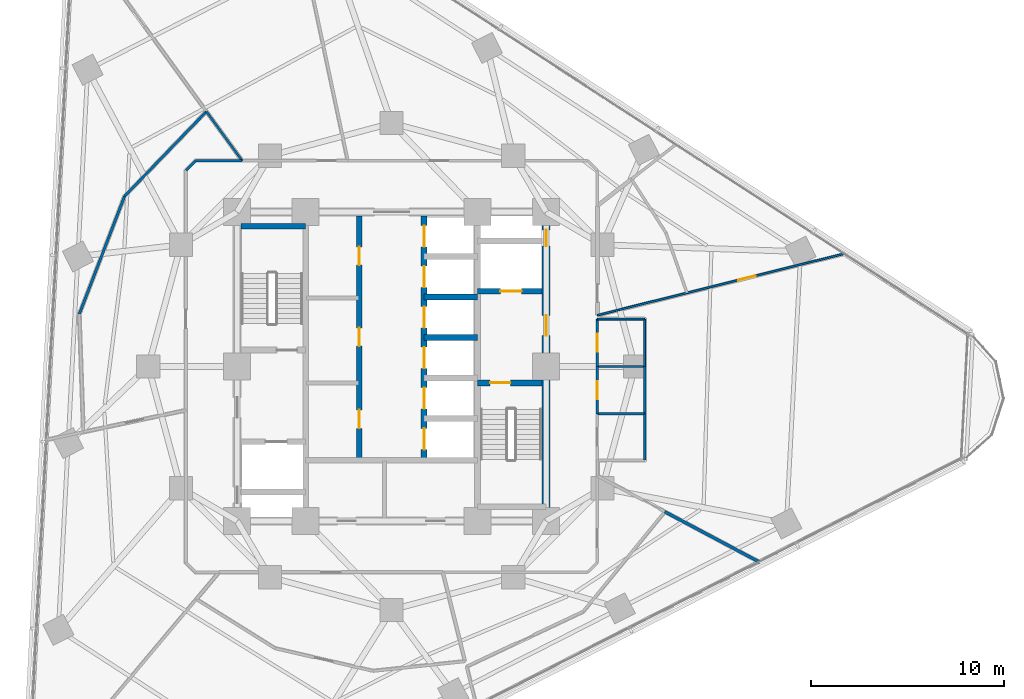
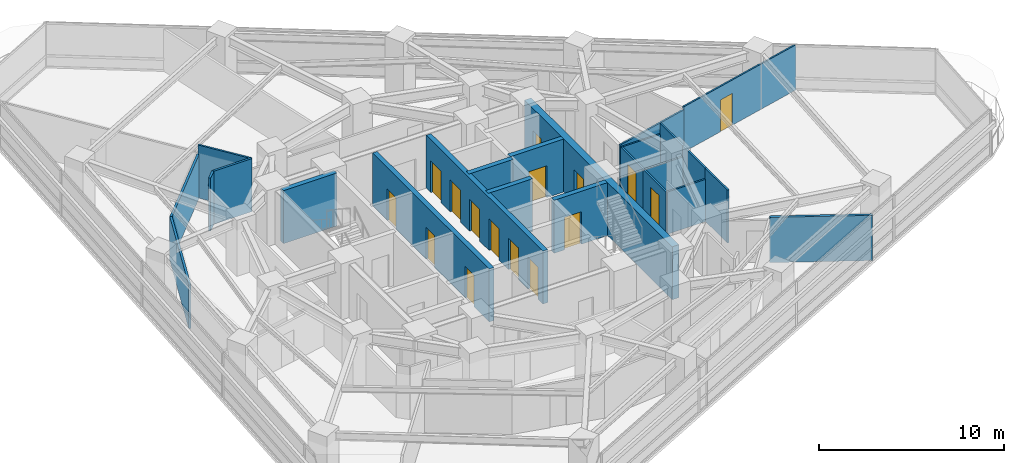
# One storey, part 9 of 14: 24 walls, 16 doors, 16 openings.
"""IFC4 building model written with IfcOpenShell, lengths in metres."""

from ifc_helpers import new_model, si_unit, direction, frame, frame_2d, origin, place, context, subcontext, project, spatial, rectangle, extrude, material, layer, layer_set, type_object, element, fill, save


model = new_model("IFC4")

# Units and contexts
model_context = context("Model", 3, precision=1e-05, world=origin(), true_north=direction((0.0, 1.0)))
body_context = subcontext(model_context, "Body", "Model", "MODEL_VIEW")
ifc_project = project(units=[si_unit("LENGTHUNIT", "METRE"), si_unit("AREAUNIT", "SQUARE_METRE"), si_unit("VOLUMEUNIT", "CUBIC_METRE"), si_unit("PLANEANGLEUNIT", "RADIAN"), si_unit("MASSUNIT", "GRAM", prefix="KILO")], contexts=[model_context])

# Site, building, storey
site_placement = place(None, origin())
site = spatial("IfcSite", under=ifc_project, at=site_placement, CompositionType="ELEMENT")
building_placement = place(site_placement, origin())
building = spatial("IfcBuilding", under=site, at=building_placement, Name="Terralouvre Media Tower", CompositionType="ELEMENT")
storey_placement = place(building_placement, frame((0.0, 0.0, 127.300048828125)))
storey = spatial("IfcBuildingStorey", under=building, at=storey_placement, Name="L32", CompositionType="ELEMENT", Elevation=127.300048828125)

# Wall
ifc_material_1 = material(Name="Concrete C50/60", Category="concrete")
ifc_layer_1 = layer(ifc_material_1, 0.300048828125, Name="Core Internal Shaft Wall CW-300")
ifc_layer_set_1 = layer_set([ifc_layer_1], Name="Concrete C50/60")
wall_type_1 = type_object("IfcWallType", Name="Core Internal Shaft Wall CW-300", PredefinedType="SHEAR", material=ifc_layer_set_1)
wall_1_placement = place(storey_placement, frame((-7.7900390625, 7.260009765625, 0.0), z_axis=(0.0, 0.0, 1.0), x_axis=(1.0, 0.0, 0.0)))
element("IfcWall", 1, at=wall_1_placement, inside=storey, type_object=wall_type_1, Name="L32 Core Shaft Wall ST1F", PredefinedType="SHEAR", context=body_context, shape_type="SweptSolid", body=[
    extrude(rectangle(XDim=3.340087890625, YDim=0.300048828125, at=frame_2d((1.669921875, 0.0))), origin(), (0.0, 0.0, 1.0), 3.5),
])

# Wall, opening, door
wall_2_placement = place(storey_placement, frame((4.449951171875, -0.85009765625, 0.0), z_axis=(0.0, 0.0, 1.0), x_axis=(1.0, 0.0, 0.0)))
wall_2 = element("IfcWall", 2, at=wall_2_placement, inside=storey, type_object=wall_type_1, Name="L32 Core Shaft Wall ST2D", PredefinedType="SHEAR", context=body_context, shape_type="SweptSolid", body=[
    extrude(rectangle(XDim=3.340087890625, YDim=0.300048828125, at=frame_2d((1.669921875, 0.0))), origin(), (0.0, 0.0, 1.0), 3.5),
])
opening_1_placement = place(wall_2_placement, frame((0.64990234375, 0.0, 0.0)))
opening_1 = element("IfcOpeningElement", 3, at=opening_1_placement, cuts=wall_2, Name="Opening FD-01-105X215", PredefinedType="OPENING", context=body_context, shape_type="SweptSolid", body=[
    extrude(rectangle(XDim=1.050048828125, YDim=2.14990234375, at=frame_2d((0.52490234375, 1.074951171875))), frame((0.0, 0.159912109375, 0.0), z_axis=(0.0, -1.0, 0.0), x_axis=(1.0, 0.0, 0.0)), (0.0, 0.0, 1.0), 0.320068359375),
])
ifc_material_2 = material(Name="Galvanised steel fire-resisting leaf", Category="steel")
door_type_1 = type_object("IfcDoorType", Name="Stair and Firefighting Lobby Fire Door FD-01 (1050x2150)", OperationType="NOTDEFINED", PredefinedType="DOOR", material=ifc_material_2)
door_1_placement = place(opening_1_placement, origin())
door_1 = element("IfcDoor", 4, at=door_1_placement, inside=storey, type_object=door_type_1, Name="L32 ST-02 Exit Stair Door", OperationType="SINGLE_SWING_RIGHT", OverallHeight=2.14990234375, OverallWidth=1.050048828125, PredefinedType="DOOR", context=body_context, shape_type="SweptSolid", body=[
    extrude(rectangle(XDim=1.050048828125, YDim=2.14990234375, at=frame_2d((0.52490234375, 1.074951171875))), frame((0.0, 0.02490234375, 0.0), z_axis=(0.0, -1.0, 0.0), x_axis=(1.0, 0.0, 0.0)), (0.0, 0.0, 1.0), 0.050048828125),
])
fill(opening_1, door_1)

wall_3_placement = place(storey_placement, frame((4.449951171875, 3.89990234375, 0.0), z_axis=(0.0, 0.0, 1.0), x_axis=(1.0, 0.0, 0.0)))
wall_3 = element("IfcWall", 5, at=wall_3_placement, inside=storey, type_object=wall_type_1, Name="L32 Core Shaft Wall FF2S", PredefinedType="SHEAR", context=body_context, shape_type="SweptSolid", body=[
    extrude(rectangle(XDim=3.340087890625, YDim=0.300048828125, at=frame_2d((1.669921875, 0.0))), origin(), (0.0, 0.0, 1.0), 3.5),
])
opening_2_placement = place(wall_3_placement, frame((1.179931640625, 0.0, 0.0)))
opening_2 = element("IfcOpeningElement", 6, at=opening_2_placement, cuts=wall_3, Name="Opening LD-FF", PredefinedType="OPENING", context=body_context, shape_type="SweptSolid", body=[
    extrude(rectangle(XDim=1.10009765625, YDim=2.10009765625, at=frame_2d((0.550048828125, 1.050048828125))), frame((0.0, 0.159912109375, 0.0), z_axis=(0.0, -1.0, 0.0), x_axis=(1.0, 0.0, 0.0)), (0.0, 0.0, 1.0), 0.320068359375),
])
ifc_material_3 = material(Name="Stainless steel 316 handrail and balustrade", Category="steel")
door_type_2 = type_object("IfcDoorType", Name="Firefighting Lift Sliding Landing Door LD-FF", OperationType="SLIDING_TO_LEFT", PredefinedType="DOOR", material=ifc_material_3)
door_2_placement = place(opening_2_placement, origin())
door_2 = element("IfcDoor", 7, at=door_2_placement, inside=storey, type_object=door_type_2, Name="L32 Firefighting Lift FFL-02 Landing Door", OperationType="SLIDING_TO_LEFT", OverallHeight=2.10009765625, OverallWidth=1.10009765625, PredefinedType="DOOR", context=body_context, shape_type="SweptSolid", body=[
    extrude(rectangle(XDim=1.10009765625, YDim=2.10009765625, at=frame_2d((0.550048828125, 1.050048828125))), frame((0.0, 0.02490234375, 0.0), z_axis=(0.0, -1.0, 0.0), x_axis=(1.0, 0.0, 0.0)), (0.0, 0.0, 1.0), 0.050048828125),
])
fill(opening_2, door_2)

# Wall, openings, doors
wall_4_placement = place(storey_placement, frame((-1.679931640625, -4.85009765625, 0.0), z_axis=(0.0, 0.0, 1.0), x_axis=(0.0, 1.0, 0.0)))
wall_4 = element("IfcWall", 8, at=wall_4_placement, inside=storey, type_object=wall_type_1, Name="L32 Core Shaft Wall LBW", PredefinedType="SHEAR", context=body_context, shape_type="SweptSolid", body=[
    extrude(rectangle(XDim=12.64013671875, YDim=0.300048828125, at=frame_2d((6.320068359375, 0.0))), origin(), (0.0, 0.0, 1.0), 3.5),
])
opening_3_placement = place(wall_4_placement, frame((1.64990234375, 0.0, 0.0)))
opening_3 = element("IfcOpeningElement", 9, at=opening_3_placement, cuts=wall_4, Name="Opening FD-02-95X210", PredefinedType="OPENING", context=body_context, shape_type="SweptSolid", body=[
    extrude(rectangle(XDim=0.949951171875, YDim=2.10009765625, at=frame_2d((0.47509765625, 1.050048828125))), frame((0.0, 0.159912109375, 0.0), z_axis=(0.0, -1.0, 0.0), x_axis=(1.0, 0.0, 0.0)), (0.0, 0.0, 1.0), 0.320068359375),
])
opening_4_placement = place(wall_4_placement, frame((5.89990234375, 0.0, 0.0)))
opening_4 = element("IfcOpeningElement", 10, at=opening_4_placement, cuts=wall_4, Name="Opening SD-02", PredefinedType="OPENING", context=body_context, shape_type="SweptSolid", body=[
    extrude(rectangle(XDim=0.949951171875, YDim=2.10009765625, at=frame_2d((0.47509765625, 1.050048828125))), frame((0.0, 0.159912109375, 0.0), z_axis=(0.0, -1.0, 0.0), x_axis=(1.0, 0.0, 0.0)), (0.0, 0.0, 1.0), 0.320068359375),
])
opening_5_placement = place(wall_4_placement, frame((10.10009765625, 0.0, 0.0)))
opening_5 = element("IfcOpeningElement", 11, at=opening_5_placement, cuts=wall_4, Name="Opening FD-02-95X210", PredefinedType="OPENING", context=body_context, shape_type="SweptSolid", body=[
    extrude(rectangle(XDim=0.949951171875, YDim=2.10009765625, at=frame_2d((0.47509765625, 1.050048828125))), frame((0.0, 0.159912109375, 0.0), z_axis=(0.0, -1.0, 0.0), x_axis=(1.0, 0.0, 0.0)), (0.0, 0.0, 1.0), 0.320068359375),
])
ifc_material_4 = material(Name="Galvanised steel fire-resisting leaf", Category="steel")
door_type_3 = type_object("IfcDoorType", Name="Core Service Sliding Fire Door SD-02", OperationType="SLIDING_TO_LEFT", PredefinedType="DOOR", material=ifc_material_4)
door_3_placement = place(opening_4_placement, origin())
door_3 = element("IfcDoor", 12, at=door_3_placement, inside=storey, type_object=door_type_3, Name="L32 Core Pantry Store Door", OperationType="SLIDING_TO_LEFT", OverallHeight=2.10009765625, OverallWidth=0.949951171875, PredefinedType="DOOR", context=body_context, shape_type="SweptSolid", body=[
    extrude(rectangle(XDim=0.949951171875, YDim=2.10009765625, at=frame_2d((0.47509765625, 1.050048828125))), frame((0.0, 0.02490234375, 0.0), z_axis=(0.0, -1.0, 0.0), x_axis=(1.0, 0.0, 0.0)), (0.0, 0.0, 1.0), 0.050048828125),
])
fill(opening_4, door_3)
ifc_material_5 = material(Name="Galvanised steel fire-resisting leaf", Category="steel")
door_type_4 = type_object("IfcDoorType", Name="Plant and Riser Fire Door FD-02 (950x2100)", OperationType="NOTDEFINED", PredefinedType="DOOR", material=ifc_material_5)
door_4_placement = place(opening_3_placement, origin())
door_4 = element("IfcDoor", 13, at=door_4_placement, inside=storey, type_object=door_type_4, Name="L32 Core UPS Switch Plant Door", OperationType="SINGLE_SWING_LEFT", OverallHeight=2.10009765625, OverallWidth=0.949951171875, PredefinedType="DOOR", context=body_context, shape_type="SweptSolid", body=[
    extrude(rectangle(XDim=0.949951171875, YDim=2.10009765625, at=frame_2d((0.47509765625, 1.050048828125))), frame((0.0, 0.02490234375, 0.0), z_axis=(0.0, -1.0, 0.0), x_axis=(1.0, 0.0, 0.0)), (0.0, 0.0, 1.0), 0.050048828125),
])
fill(opening_3, door_4)
door_5_placement = place(opening_5_placement, origin())
door_5 = element("IfcDoor", 14, at=door_5_placement, inside=storey, type_object=door_type_4, Name="L32 Core Edge Server Plant Door", OperationType="SINGLE_SWING_RIGHT", OverallHeight=2.10009765625, OverallWidth=0.949951171875, PredefinedType="DOOR", context=body_context, shape_type="SweptSolid", body=[
    extrude(rectangle(XDim=0.949951171875, YDim=2.10009765625, at=frame_2d((0.47509765625, 1.050048828125))), frame((0.0, 0.02490234375, 0.0), z_axis=(0.0, -1.0, 0.0), x_axis=(1.0, 0.0, 0.0)), (0.0, 0.0, 1.0), 0.050048828125),
])
fill(opening_5, door_5)

wall_5_placement = place(storey_placement, frame((1.679931640625, -4.85009765625, 0.0), z_axis=(0.0, 0.0, 1.0), x_axis=(0.0, 1.0, 0.0)))
wall_5 = element("IfcWall", 15, at=wall_5_placement, inside=storey, type_object=wall_type_1, Name="L32 Core Shaft Wall LBE", PredefinedType="SHEAR", context=body_context, shape_type="SweptSolid", body=[
    extrude(rectangle(XDim=12.64013671875, YDim=0.300048828125, at=frame_2d((6.320068359375, 0.0))), origin(), (0.0, 0.0, 1.0), 3.5),
])
opening_6_placement = place(wall_5_placement, frame((0.550048828125, 0.0, 0.0)))
opening_6 = element("IfcOpeningElement", 16, at=opening_6_placement, cuts=wall_5, Name="Opening LD-PL", PredefinedType="OPENING", context=body_context, shape_type="SweptSolid", body=[
    extrude(rectangle(XDim=1.10009765625, YDim=2.10009765625, at=frame_2d((0.550048828125, 1.050048828125))), frame((0.0, 0.159912109375, 0.0), z_axis=(0.0, -1.0, 0.0), x_axis=(1.0, 0.0, 0.0)), (0.0, 0.0, 1.0), 0.320068359375),
])
opening_7_placement = place(wall_5_placement, frame((2.64990234375, 0.0, 0.0)))
opening_7 = element("IfcOpeningElement", 17, at=opening_7_placement, cuts=wall_5, Name="Opening LD-PL", PredefinedType="OPENING", context=body_context, shape_type="SweptSolid", body=[
    extrude(rectangle(XDim=1.10009765625, YDim=2.10009765625, at=frame_2d((0.550048828125, 1.050048828125))), frame((0.0, 0.159912109375, 0.0), z_axis=(0.0, -1.0, 0.0), x_axis=(1.0, 0.0, 0.0)), (0.0, 0.0, 1.0), 0.320068359375),
])
opening_8_placement = place(wall_5_placement, frame((4.75, 0.0, 0.0)))
opening_8 = element("IfcOpeningElement", 18, at=opening_8_placement, cuts=wall_5, Name="Opening LD-PL", PredefinedType="OPENING", context=body_context, shape_type="SweptSolid", body=[
    extrude(rectangle(XDim=1.10009765625, YDim=2.10009765625, at=frame_2d((0.550048828125, 1.050048828125))), frame((0.0, 0.159912109375, 0.0), z_axis=(0.0, -1.0, 0.0), x_axis=(1.0, 0.0, 0.0)), (0.0, 0.0, 1.0), 0.320068359375),
])
opening_9_placement = place(wall_5_placement, frame((6.85009765625, 0.0, 0.0)))
opening_9 = element("IfcOpeningElement", 19, at=opening_9_placement, cuts=wall_5, Name="Opening LD-PL", PredefinedType="OPENING", context=body_context, shape_type="SweptSolid", body=[
    extrude(rectangle(XDim=1.10009765625, YDim=2.10009765625, at=frame_2d((0.550048828125, 1.050048828125))), frame((0.0, 0.159912109375, 0.0), z_axis=(0.0, -1.0, 0.0), x_axis=(1.0, 0.0, 0.0)), (0.0, 0.0, 1.0), 0.320068359375),
])
opening_10_placement = place(wall_5_placement, frame((8.949951171875, 0.0, 0.0)))
opening_10 = element("IfcOpeningElement", 20, at=opening_10_placement, cuts=wall_5, Name="Opening LD-PL", PredefinedType="OPENING", context=body_context, shape_type="SweptSolid", body=[
    extrude(rectangle(XDim=1.10009765625, YDim=2.10009765625, at=frame_2d((0.550048828125, 1.050048828125))), frame((0.0, 0.159912109375, 0.0), z_axis=(0.0, -1.0, 0.0), x_axis=(1.0, 0.0, 0.0)), (0.0, 0.0, 1.0), 0.320068359375),
])
opening_11_placement = place(wall_5_placement, frame((11.050048828125, 0.0, 0.0)))
opening_11 = element("IfcOpeningElement", 21, at=opening_11_placement, cuts=wall_5, Name="Opening LD-PL", PredefinedType="OPENING", context=body_context, shape_type="SweptSolid", body=[
    extrude(rectangle(XDim=1.10009765625, YDim=2.10009765625, at=frame_2d((0.550048828125, 1.050048828125))), frame((0.0, 0.159912109375, 0.0), z_axis=(0.0, -1.0, 0.0), x_axis=(1.0, 0.0, 0.0)), (0.0, 0.0, 1.0), 0.320068359375),
])
ifc_material_6 = material(Name="Stainless steel 316 handrail and balustrade", Category="steel")
door_type_5 = type_object("IfcDoorType", Name="Passenger Lift Sliding Landing Door LD-PL", OperationType="SLIDING_TO_LEFT", PredefinedType="DOOR", material=ifc_material_6)
door_6_placement = place(opening_6_placement, origin())
door_6 = element("IfcDoor", 22, at=door_6_placement, inside=storey, type_object=door_type_5, Name="L32 High-Rise Lift PL-H1 Landing Door", OperationType="SLIDING_TO_LEFT", OverallHeight=2.10009765625, OverallWidth=1.10009765625, PredefinedType="DOOR", context=body_context, shape_type="SweptSolid", body=[
    extrude(rectangle(XDim=1.10009765625, YDim=2.10009765625, at=frame_2d((0.550048828125, 1.050048828125))), frame((0.0, 0.02490234375, 0.0), z_axis=(0.0, -1.0, 0.0), x_axis=(1.0, 0.0, 0.0)), (0.0, 0.0, 1.0), 0.050048828125),
])
fill(opening_6, door_6)
door_7_placement = place(opening_7_placement, origin())
door_7 = element("IfcDoor", 23, at=door_7_placement, inside=storey, type_object=door_type_5, Name="L32 High-Rise Lift PL-H2 Landing Door", OperationType="SLIDING_TO_LEFT", OverallHeight=2.10009765625, OverallWidth=1.10009765625, PredefinedType="DOOR", context=body_context, shape_type="SweptSolid", body=[
    extrude(rectangle(XDim=1.10009765625, YDim=2.10009765625, at=frame_2d((0.550048828125, 1.050048828125))), frame((0.0, 0.02490234375, 0.0), z_axis=(0.0, -1.0, 0.0), x_axis=(1.0, 0.0, 0.0)), (0.0, 0.0, 1.0), 0.050048828125),
])
fill(opening_7, door_7)
door_8_placement = place(opening_8_placement, origin())
door_8 = element("IfcDoor", 24, at=door_8_placement, inside=storey, type_object=door_type_5, Name="L32 High-Rise Lift PL-H3 Landing Door", OperationType="SLIDING_TO_LEFT", OverallHeight=2.10009765625, OverallWidth=1.10009765625, PredefinedType="DOOR", context=body_context, shape_type="SweptSolid", body=[
    extrude(rectangle(XDim=1.10009765625, YDim=2.10009765625, at=frame_2d((0.550048828125, 1.050048828125))), frame((0.0, 0.02490234375, 0.0), z_axis=(0.0, -1.0, 0.0), x_axis=(1.0, 0.0, 0.0)), (0.0, 0.0, 1.0), 0.050048828125),
])
fill(opening_8, door_8)
door_9_placement = place(opening_9_placement, origin())
door_9 = element("IfcDoor", 25, at=door_9_placement, inside=storey, type_object=door_type_5, Name="L32 Mid-Rise Lift PL-M1 Landing Door", OperationType="SLIDING_TO_LEFT", OverallHeight=2.10009765625, OverallWidth=1.10009765625, PredefinedType="DOOR", context=body_context, shape_type="SweptSolid", body=[
    extrude(rectangle(XDim=1.10009765625, YDim=2.10009765625, at=frame_2d((0.550048828125, 1.050048828125))), frame((0.0, 0.02490234375, 0.0), z_axis=(0.0, -1.0, 0.0), x_axis=(1.0, 0.0, 0.0)), (0.0, 0.0, 1.0), 0.050048828125),
])
fill(opening_9, door_9)
door_10_placement = place(opening_10_placement, origin())
door_10 = element("IfcDoor", 26, at=door_10_placement, inside=storey, type_object=door_type_5, Name="L32 Mid-Rise Lift PL-M2 Landing Door", OperationType="SLIDING_TO_LEFT", OverallHeight=2.10009765625, OverallWidth=1.10009765625, PredefinedType="DOOR", context=body_context, shape_type="SweptSolid", body=[
    extrude(rectangle(XDim=1.10009765625, YDim=2.10009765625, at=frame_2d((0.550048828125, 1.050048828125))), frame((0.0, 0.02490234375, 0.0), z_axis=(0.0, -1.0, 0.0), x_axis=(1.0, 0.0, 0.0)), (0.0, 0.0, 1.0), 0.050048828125),
])
fill(opening_10, door_10)
door_11_placement = place(opening_11_placement, origin())
door_11 = element("IfcDoor", 27, at=door_11_placement, inside=storey, type_object=door_type_5, Name="L32 Mid-Rise Lift PL-M3 Landing Door", OperationType="SLIDING_TO_LEFT", OverallHeight=2.10009765625, OverallWidth=1.10009765625, PredefinedType="DOOR", context=body_context, shape_type="SweptSolid", body=[
    extrude(rectangle(XDim=1.10009765625, YDim=2.10009765625, at=frame_2d((0.550048828125, 1.050048828125))), frame((0.0, 0.02490234375, 0.0), z_axis=(0.0, -1.0, 0.0), x_axis=(1.0, 0.0, 0.0)), (0.0, 0.0, 1.0), 0.050048828125),
])
fill(opening_11, door_11)

# Walls
for number, where, z_axis, x_axis, name in (
    (28, (1.679931640625, 1.5, 0.0), (0.0, 0.0, 1.0), (1.0, 0.0, 0.0), "L32 Core Shaft Wall PLMD0"),
    (29, (1.679931640625, 3.60009765625, 0.0), (0.0, 0.0, 1.0), (1.0, 0.0, 0.0), "L32 Core Shaft Wall PLMD1"),
):
    element("IfcWall", number, at=place(storey_placement, frame(where, z_axis=z_axis, x_axis=x_axis)), inside=storey, type_object=wall_type_1, Name=name, PredefinedType="SHEAR", context=body_context, shape_type="SweptSolid", body=[
        extrude(rectangle(XDim=2.77001953125, YDim=0.300048828125, at=frame_2d((1.385009765625, 0.0))), origin(), (0.0, 0.0, 1.0), 3.5),
    ])

# Wall, openings, doors
ifc_material_7 = material(Name="Concrete C60/75", Category="concrete")
ifc_layer_2 = layer(ifc_material_7, 0.419921875, Name="Core Reinforced Concrete Shear Wall CW-420")
ifc_layer_set_2 = layer_set([ifc_layer_2], Name="Concrete C60/75")
wall_type_2 = type_object("IfcWallType", Name="Core Reinforced Concrete Shear Wall CW-420", PredefinedType="SHEAR", material=ifc_layer_set_2)
wall_6_placement = place(storey_placement, frame((8.0, -8.0, 0.0), z_axis=(0.0, 0.0, 1.0), x_axis=(0.0, 1.0, 0.0)))
wall_6 = element("IfcWall", 30, at=wall_6_placement, inside=storey, type_object=wall_type_2, Name="L32 E Core Shear Wall", PredefinedType="SHEAR", context=body_context, shape_type="SweptSolid", body=[
    extrude(rectangle(XDim=16.0, YDim=0.419921875, at=frame_2d((8.0, 0.0))), origin(), (0.0, 0.0, 1.0), 3.5),
])
opening_12_placement = place(wall_6_placement, frame((9.60009765625, 0.0, 0.0)))
opening_12 = element("IfcOpeningElement", 31, at=opening_12_placement, cuts=wall_6, Name="Opening FD-01-105X215", PredefinedType="OPENING", context=body_context, shape_type="SweptSolid", body=[
    extrude(rectangle(XDim=1.050048828125, YDim=2.14990234375, at=frame_2d((0.52490234375, 1.074951171875))), frame((0.0, 0.219970703125, 0.0), z_axis=(0.0, -1.0, 0.0), x_axis=(1.0, 0.0, 0.0)), (0.0, 0.0, 1.0), 0.43994140625),
])
opening_13_placement = place(wall_6_placement, frame((14.228515625, 0.0, 0.0)))
opening_13 = element("IfcOpeningElement", 32, at=opening_13_placement, cuts=wall_6, Name="Opening TD-R1", PredefinedType="OPENING", context=body_context, shape_type="SweptSolid", body=[
    extrude(rectangle(XDim=0.85009765625, YDim=2.02001953125, at=frame_2d((0.425048828125, 1.010009765625))), frame((0.0, 0.219970703125, 0.0), z_axis=(0.0, -1.0, 0.0), x_axis=(1.0, 0.0, 0.0)), (0.0, 0.0, 1.0), 0.43994140625),
])
ifc_material_8 = material(Name="Galvanised steel fire-resisting leaf", Category="steel")
door_type_6 = type_object("IfcDoorType", Name="Riser Inspection Access Trapdoor TD-R1", OperationType="NOTDEFINED", PredefinedType="TRAPDOOR", material=ifc_material_8)
door_12_placement = place(opening_13_placement, origin())
door_12 = element("IfcDoor", 33, at=door_12_placement, inside=storey, type_object=door_type_6, Name="L32 East Comms Riser Access Trapdoor", OperationType="SINGLE_SWING_RIGHT", OverallHeight=2.02001953125, OverallWidth=0.85009765625, PredefinedType="TRAPDOOR", context=body_context, shape_type="SweptSolid", body=[
    extrude(rectangle(XDim=0.85009765625, YDim=2.02001953125, at=frame_2d((0.425048828125, 1.010009765625))), frame((0.0, 0.02490234375, 0.0), z_axis=(0.0, -1.0, 0.0), x_axis=(1.0, 0.0, 0.0)), (0.0, 0.0, 1.0), 0.050048828125),
])
fill(opening_13, door_12)
door_13_placement = place(opening_12_placement, origin())
door_13 = element("IfcDoor", 34, at=door_13_placement, inside=storey, type_object=door_type_1, Name="L32 East Firefighting Lobby Entry Door", OperationType="SINGLE_SWING_LEFT", OverallHeight=2.14990234375, OverallWidth=1.050048828125, PredefinedType="DOOR", context=body_context, shape_type="SweptSolid", body=[
    extrude(rectangle(XDim=1.050048828125, YDim=2.14990234375, at=frame_2d((0.52490234375, 1.074951171875))), frame((0.0, 0.02490234375, 0.0), z_axis=(0.0, -1.0, 0.0), x_axis=(1.0, 0.0, 0.0)), (0.0, 0.0, 1.0), 0.050048828125),
])
fill(opening_12, door_13)

# Walls
ifc_material_9 = material(Name="Low-iron laminated double glazing with solar-control coating", Category="glass")
ifc_layer_3 = layer(ifc_material_9, 0.10009765625, Name="Demountable Glazed Office Partition PT-GL100")
ifc_layer_set_3 = layer_set([ifc_layer_3], Name="Low-iron laminated double glazing with solar-control coating")
wall_type_3 = type_object("IfcWallType", Name="Demountable Glazed Office Partition PT-GL100", PredefinedType="MOVABLE", material=ifc_layer_set_3)
wall_7_placement = place(storey_placement, frame((10.64990234375, 2.449951171875, 0.0), z_axis=(0.0, 0.0, 1.0), x_axis=(1.0, 0.0, 0.0)))
element("IfcWall", 35, at=wall_7_placement, inside=storey, type_object=wall_type_3, Name="L32 Interior Partition 038", PredefinedType="MOVABLE", context=body_context, shape_type="SweptSolid", body=[
    extrude(rectangle(XDim=2.4501953125, YDim=0.10009765625, at=frame_2d((1.22509765625, 0.0))), origin(), (0.0, 0.0, 1.0), 2.784912109375),
])
wall_8_placement = place(storey_placement, frame((13.10009765625, 2.449951171875, 0.0), z_axis=(0.0, 0.0, 1.0), x_axis=(0.0, -1.0, 0.0)))
element("IfcWall", 36, at=wall_8_placement, inside=storey, type_object=wall_type_3, Name="L32 Interior Partition 039", PredefinedType="MOVABLE", context=body_context, shape_type="SweptSolid", body=[
    extrude(rectangle(XDim=2.449951171875, YDim=0.10009765625, at=frame_2d((1.22509765625, 0.0))), origin(), (0.0, 0.0, 1.0), 3.5),
])

# Wall, opening, door
wall_9_placement = place(storey_placement, frame((23.471923828125, 5.852294921875, 0.0), z_axis=(0.0, 0.0, 1.0), x_axis=(-0.970293868859, -0.24192934517, 0.0)))
wall_9 = element("IfcWall", 37, at=wall_9_placement, inside=storey, type_object=wall_type_3, Name="L32 Interior Partition 040", PredefinedType="MOVABLE", context=body_context, shape_type="SweptSolid", body=[
    extrude(rectangle(XDim=8.433349609375, YDim=0.10009765625, at=frame_2d((4.216796875, 0.0))), origin(), (0.0, 0.0, 1.0), 2.98486328125),
])
opening_14_placement = place(wall_9_placement, frame((4.768798828125, 0.0, 0.0)))
opening_14 = element("IfcOpeningElement", 38, at=opening_14_placement, cuts=wall_9, Name="Opening ID-03-92X210", PredefinedType="OPENING", context=body_context, shape_type="SweptSolid", body=[
    extrude(rectangle(XDim=0.919921875, YDim=2.10009765625, at=frame_2d((0.4599609375, 1.050048828125))), frame((0.0, 0.06005859375, 0.0), z_axis=(0.0, -1.0, 0.0), x_axis=(1.0, 0.0, 0.0)), (0.0, 0.0, 1.0), 0.1201171875),
])
ifc_material_10 = material(Name="Engineered hardwood acoustic timber leaf", Category="wood")
door_type_7 = type_object("IfcDoorType", Name="Accessible Restroom and Suite Door ID-03 (920x2100)", OperationType="NOTDEFINED", PredefinedType="DOOR", material=ifc_material_10)
door_14_placement = place(opening_14_placement, origin())
door_14 = element("IfcDoor", 39, at=door_14_placement, inside=storey, type_object=door_type_7, Name="L32 Presenter Makeup and Wardrobe Closet 7 Door", OperationType="SINGLE_SWING_RIGHT", OverallHeight=2.10009765625, OverallWidth=0.919921875, PredefinedType="DOOR", context=body_context, shape_type="SweptSolid", body=[
    extrude(rectangle(XDim=0.919921875, YDim=2.10009765625, at=frame_2d((0.4599609375, 1.050048828125))), frame((0.0, 0.02490234375, 0.0), z_axis=(0.0, -1.0, 0.0), x_axis=(1.0, 0.0, 0.0)), (0.0, 0.0, 1.0), 0.050048828125),
])
fill(opening_14, door_14)

# Walls
wall_10_placement = place(storey_placement, frame((15.2890625, 3.81201171875, 0.0), z_axis=(0.0, 0.0, 1.0), x_axis=(-0.970280510542, -0.241982914402, 0.0)))
element("IfcWall", 40, at=wall_10_placement, inside=storey, type_object=wall_type_3, Name="L32 Interior Partition 041", PredefinedType="MOVABLE", context=body_context, shape_type="SweptSolid", body=[
    extrude(rectangle(XDim=4.78125, YDim=0.10009765625, at=frame_2d((2.390625, 0.0))), origin(), (0.0, 0.0, 1.0), 2.784912109375),
])
ifc_material_11 = material(Name="Fire-rated gypsum board drywall partition")
ifc_layer_4 = layer(ifc_material_11, 0.135009765625, Name="Newsroom Acoustic Partition PT-135")
ifc_layer_set_4 = layer_set([ifc_layer_4], Name="Fire-rated gypsum board drywall partition")
wall_type_4 = type_object("IfcWallType", Name="Newsroom Acoustic Partition PT-135", PredefinedType="PARTITIONING", material=ifc_layer_set_4)
wall_11_placement = place(storey_placement, frame((-7.738037109375, 10.64990234375, 0.0), z_axis=(0.0, 0.0, 1.0), x_axis=(-1.0, 0.0, 0.0)))
element("IfcWall", 41, at=wall_11_placement, inside=storey, type_object=wall_type_4, Name="L32 Interior Partition 017", PredefinedType="PARTITIONING", context=body_context, shape_type="SweptSolid", body=[
    extrude(rectangle(XDim=2.411865234375, YDim=0.135009765625, at=frame_2d((1.2060546875, 0.0))), origin(), (0.0, 0.0, 1.0), 3.5),
])
wall_12_placement = place(storey_placement, frame((-10.14990234375, 10.64990234375, 0.0), z_axis=(0.0, 0.0, 1.0), x_axis=(-0.707106781187, -0.707106781187, 0.0)))
element("IfcWall", 42, at=wall_12_placement, inside=storey, type_object=wall_type_4, Name="L32 Interior Partition 018", PredefinedType="PARTITIONING", context=body_context, shape_type="SweptSolid", body=[
    extrude(rectangle(XDim=0.70703125, YDim=0.135009765625, at=frame_2d((0.353515625, 0.0))), origin(), (0.0, 0.0, 1.0), 3.5),
])
wall_13_placement = place(storey_placement, frame((-16.175048828125, 2.70703125, 0.0), z_axis=(0.0, 0.0, 1.0), x_axis=(0.358305989998, 0.93360420818, 0.0)))
element("IfcWall", 43, at=wall_13_placement, inside=storey, type_object=wall_type_4, Name="L32 Interior Partition 050", PredefinedType="PARTITIONING", context=body_context, shape_type="SweptSolid", body=[
    extrude(rectangle(XDim=6.5390625, YDim=0.135009765625, at=frame_2d((3.26953125, 0.0))), origin(), (0.0, 0.0, 1.0), 2.885009765625),
])
wall_14_placement = place(storey_placement, frame((-13.83203125, 8.81201171875, 0.0), z_axis=(0.0, 0.0, 1.0), x_axis=(0.694719433394, 0.719280827538, 0.0)))
element("IfcWall", 44, at=wall_14_placement, inside=storey, type_object=wall_type_4, Name="L32 Interior Partition 051", PredefinedType="PARTITIONING", context=body_context, shape_type="SweptSolid", body=[
    extrude(rectangle(XDim=6.103271484375, YDim=0.135009765625, at=frame_2d((3.0517578125, 0.0))), origin(), (0.0, 0.0, 1.0), 2.885009765625),
])

# Wall, opening, door
ifc_material_12 = material(Name="Fire-rated gypsum board drywall partition")
ifc_layer_5 = layer(ifc_material_12, 0.114990234375, Name="Restroom and Pantry Partition PT-115")
ifc_layer_set_5 = layer_set([ifc_layer_5], Name="Fire-rated gypsum board drywall partition")
wall_type_5 = type_object("IfcWallType", Name="Restroom and Pantry Partition PT-115", PredefinedType="PARTITIONING", material=ifc_layer_set_5)
wall_15_placement = place(storey_placement, frame((10.64990234375, -2.449951171875, 0.0), z_axis=(0.0, 0.0, 1.0), x_axis=(0.0, 1.0, 0.0)))
wall_15 = element("IfcWall", 45, at=wall_15_placement, inside=storey, type_object=wall_type_5, Name="L32 Interior Partition 009", PredefinedType="PARTITIONING", context=body_context, shape_type="SweptSolid", body=[
    extrude(rectangle(XDim=2.449951171875, YDim=0.114990234375, at=frame_2d((1.22509765625, 0.0))), origin(), (0.0, 0.0, 1.0), 2.784912109375),
])
opening_15_placement = place(wall_15_placement, frame((0.764892578125, 0.0, 0.0)))
opening_15 = element("IfcOpeningElement", 46, at=opening_15_placement, cuts=wall_15, Name="Opening ID-03-92X210", PredefinedType="OPENING", context=body_context, shape_type="SweptSolid", body=[
    extrude(rectangle(XDim=0.919921875, YDim=2.10009765625, at=frame_2d((0.4599609375, 1.050048828125))), frame((0.0, 0.0673828125, 0.0), z_axis=(0.0, -1.0, 0.0), x_axis=(1.0, 0.0, 0.0)), (0.0, 0.0, 1.0), 0.135009765625),
])
door_15_placement = place(opening_15_placement, origin())
door_15 = element("IfcDoor", 47, at=door_15_placement, inside=storey, type_object=door_type_7, Name="L32 Female Restroom WC Door", OperationType="SINGLE_SWING_LEFT", OverallHeight=2.10009765625, OverallWidth=0.919921875, PredefinedType="DOOR", context=body_context, shape_type="SweptSolid", body=[
    extrude(rectangle(XDim=0.919921875, YDim=2.10009765625, at=frame_2d((0.4599609375, 1.050048828125))), frame((0.0, 0.02490234375, 0.0), z_axis=(0.0, -1.0, 0.0), x_axis=(1.0, 0.0, 0.0)), (0.0, 0.0, 1.0), 0.050048828125),
])
fill(opening_15, door_15)

wall_16_placement = place(storey_placement, frame((10.64990234375, 0.0, 0.0), z_axis=(0.0, 0.0, 1.0), x_axis=(0.0, 1.0, 0.0)))
wall_16 = element("IfcWall", 48, at=wall_16_placement, inside=storey, type_object=wall_type_5, Name="L32 Interior Partition 011", PredefinedType="PARTITIONING", context=body_context, shape_type="SweptSolid", body=[
    extrude(rectangle(XDim=2.449951171875, YDim=0.114990234375, at=frame_2d((1.22509765625, 0.0))), origin(), (0.0, 0.0, 1.0), 2.784912109375),
])
opening_16_placement = place(wall_16_placement, frame((0.764892578125, 0.0, 0.0)))
opening_16 = element("IfcOpeningElement", 49, at=opening_16_placement, cuts=wall_16, Name="Opening ID-03-92X210", PredefinedType="OPENING", context=body_context, shape_type="SweptSolid", body=[
    extrude(rectangle(XDim=0.919921875, YDim=2.10009765625, at=frame_2d((0.4599609375, 1.050048828125))), frame((0.0, 0.0673828125, 0.0), z_axis=(0.0, -1.0, 0.0), x_axis=(1.0, 0.0, 0.0)), (0.0, 0.0, 1.0), 0.135009765625),
])
door_16_placement = place(opening_16_placement, origin())
door_16 = element("IfcDoor", 50, at=door_16_placement, inside=storey, type_object=door_type_7, Name="L32 Accessible Unisex WC Door", OperationType="SINGLE_SWING_RIGHT", OverallHeight=2.10009765625, OverallWidth=0.919921875, PredefinedType="DOOR", context=body_context, shape_type="SweptSolid", body=[
    extrude(rectangle(XDim=0.919921875, YDim=2.10009765625, at=frame_2d((0.4599609375, 1.050048828125))), frame((0.0, 0.02490234375, 0.0), z_axis=(0.0, -1.0, 0.0), x_axis=(1.0, 0.0, 0.0)), (0.0, 0.0, 1.0), 0.050048828125),
])
fill(opening_16, door_16)

# Walls
wall_17_placement = place(storey_placement, frame((13.10009765625, -2.449951171875, 0.0), z_axis=(0.0, 0.0, 1.0), x_axis=(-1.0, 0.0, 0.0)))
element("IfcWall", 51, at=wall_17_placement, inside=storey, type_object=wall_type_5, Name="L32 Interior Partition 033", PredefinedType="PARTITIONING", context=body_context, shape_type="SweptSolid", body=[
    extrude(rectangle(XDim=2.4501953125, YDim=0.114990234375, at=frame_2d((1.22509765625, 0.0))), origin(), (0.0, 0.0, 1.0), 2.784912109375),
])
wall_18_placement = place(storey_placement, frame((13.10009765625, -4.85009765625, 0.0), z_axis=(0.0, 0.0, 1.0), x_axis=(0.0, 1.0, 0.0)))
element("IfcWall", 52, at=wall_18_placement, inside=storey, type_object=wall_type_5, Name="L32 Interior Partition 035", PredefinedType="PARTITIONING", context=body_context, shape_type="SweptSolid", body=[
    extrude(rectangle(XDim=2.400146484375, YDim=0.114990234375, at=frame_2d((1.2001953125, 0.0))), origin(), (0.0, 0.0, 1.0), 3.5),
])
wall_19_placement = place(storey_placement, frame((13.10009765625, -2.449951171875, 0.0), z_axis=(0.0, 0.0, 1.0), x_axis=(0.0, 1.0, 0.0)))
element("IfcWall", 53, at=wall_19_placement, inside=storey, type_object=wall_type_5, Name="L32 Interior Partition 036", PredefinedType="PARTITIONING", context=body_context, shape_type="SweptSolid", body=[
    extrude(rectangle(XDim=2.449951171875, YDim=0.114990234375, at=frame_2d((1.22509765625, 0.0))), origin(), (0.0, 0.0, 1.0), 3.5),
])
wall_20_placement = place(storey_placement, frame((13.10009765625, 0.0, 0.0), z_axis=(0.0, 0.0, 1.0), x_axis=(-1.0, 0.0, 0.0)))
element("IfcWall", 54, at=wall_20_placement, inside=storey, type_object=wall_type_5, Name="L32 Interior Partition 037", PredefinedType="PARTITIONING", context=body_context, shape_type="SweptSolid", body=[
    extrude(rectangle(XDim=2.4501953125, YDim=0.114990234375, at=frame_2d((1.22509765625, 0.0))), origin(), (0.0, 0.0, 1.0), 2.784912109375),
])
wall_21_placement = place(storey_placement, frame((-9.592041015625, 13.201904296875, 0.0), z_axis=(0.0, 0.0, 1.0), x_axis=(0.587757438745, -0.80903720137, 0.0)))
element("IfcWall", 55, at=wall_21_placement, inside=storey, type_object=wall_type_5, Name="L32 Interior Partition 048", PredefinedType="PARTITIONING", context=body_context, shape_type="SweptSolid", body=[
    extrude(rectangle(XDim=3.154296875, YDim=0.114990234375, at=frame_2d((1.5771484375, 0.0))), origin(), (0.0, 0.0, 1.0), 3.5),
])
ifc_material_13 = material(Name="Fire-rated gypsum board drywall partition")
ifc_layer_6 = layer(ifc_material_13, 0.159912109375, Name="Studio Acoustic Rated Partition PT-160")
ifc_layer_set_6 = layer_set([ifc_layer_6], Name="Fire-rated gypsum board drywall partition")
wall_type_6 = type_object("IfcWallType", Name="Studio Acoustic Rated Partition PT-160", PredefinedType="PARTITIONING", material=ifc_layer_set_6)
wall_22_placement = place(storey_placement, frame((19.069580078125, -10.1396484375, 0.0), z_axis=(0.0, 0.0, 1.0), x_axis=(-0.882959500857, 0.469449166413, 0.0)))
element("IfcWall", 56, at=wall_22_placement, inside=storey, type_object=wall_type_6, Name="L32 Interior Partition 032", PredefinedType="PARTITIONING", context=body_context, shape_type="SweptSolid", body=[
    extrude(rectangle(XDim=5.58642578125, YDim=0.159912109375, at=frame_2d((2.793212890625, 0.0))), origin(), (0.0, 0.0, 1.0), 2.98486328125),
])

save(model, "model.ifc")
